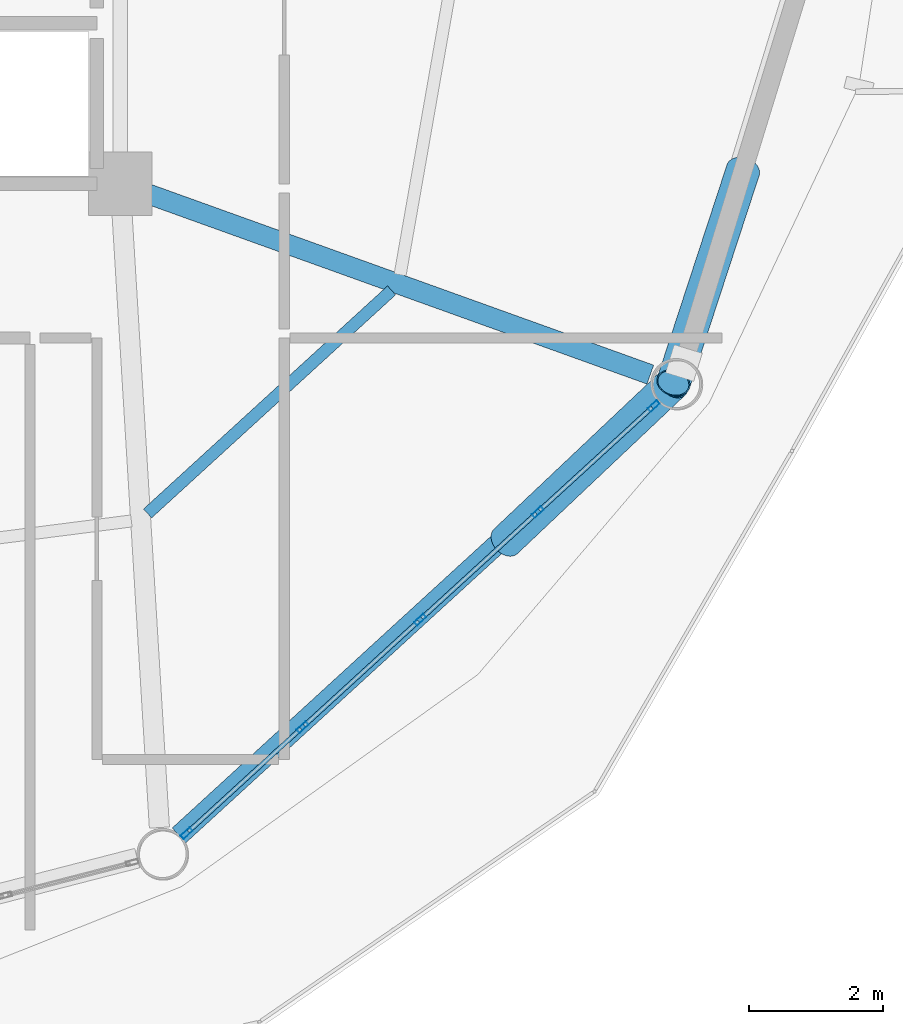
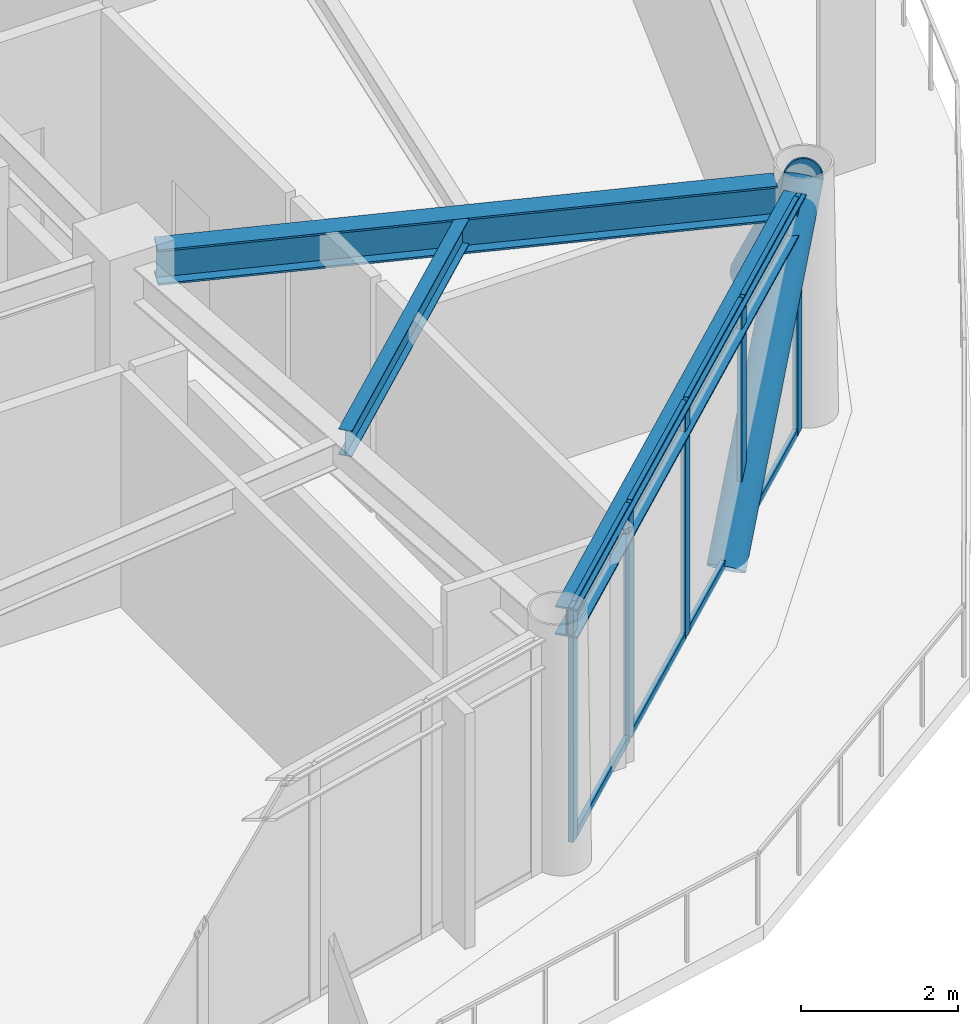
# One storey, part 12 of 23: 15 members, 3 beams, 1 element without a shape of its own.
"""IFC4 building model written with IfcOpenShell, lengths in metres."""

from ifc_helpers import new_model, si_unit, direction, frame, origin, origin_2d, place, context, subcontext, project, spatial, hollow_rectangle, hollow_circle, i_section, extrude, material, layer, layer_set, material_profile, profile_set, type_object, element, aggregate, save


model = new_model("IFC4")

# Units and contexts
model_context = context("Model", 3, precision=1e-05, world=origin(), true_north=direction((0.0, 1.0)))
body_context = subcontext(model_context, "Body", "Model", "MODEL_VIEW")
ifc_project = project(units=[si_unit("LENGTHUNIT", "METRE"), si_unit("AREAUNIT", "SQUARE_METRE"), si_unit("VOLUMEUNIT", "CUBIC_METRE"), si_unit("PLANEANGLEUNIT", "RADIAN"), si_unit("MASSUNIT", "GRAM", prefix="KILO")], contexts=[model_context])

# Site, building, storey
site_placement = place(None, origin())
site = spatial("IfcSite", under=ifc_project, at=site_placement, CompositionType="ELEMENT")
building_placement = place(site_placement, origin())
building = spatial("IfcBuilding", under=site, at=building_placement, Name="Varnakorn Sky Granary", CompositionType="ELEMENT")
storey_placement = place(building_placement, frame((0.0, 0.0, 130.5)))
storey = spatial("IfcBuildingStorey", under=building, at=storey_placement, Name="L32", CompositionType="ELEMENT", Elevation=130.5)

# Beams
ifc_material_1 = material(Name="Steel S355JR", Category="steel")
ifc_material_profile_1 = material_profile(ifc_material_1, i_section(OverallWidth=0.300048828125, OverallDepth=0.550048828125, WebThickness=0.014892578125, FlangeThickness=0.029052734375, at=origin_2d()), Name="HE 550 B")
ifc_profile_set_1 = profile_set([ifc_material_profile_1], Name="Steel S355JR")
beam_type_1 = type_object("IfcBeamType", Name="BM-RAD-Z3", PredefinedType="BEAM", material=ifc_profile_set_1)
beam_1_placement = place(storey_placement, frame((8.7451171875, -6.7421875, 3.364990234375), z_axis=(0.940992079713, -0.338428583186, 0.0), x_axis=(0.338428583186, 0.940992079713, 0.0)))
element("IfcBeam", 1, at=beam_1_placement, inside=storey, type_object=beam_type_1, Name="Radial Floor Girder RG12 L32", PredefinedType="BEAM", context=body_context, shape_type="SweptSolid", body=[
    extrude(i_section(OverallWidth=0.300048828125, OverallDepth=0.550048828125, WebThickness=0.014892578125, FlangeThickness=0.029052734375, at=origin_2d()), origin(), (0.0, 0.0, 1.0), 7.9951171875),
])
ifc_material_profile_2 = material_profile(ifc_material_1, i_section(OverallWidth=0.179931640625, OverallDepth=0.39990234375, WebThickness=0.008544921875, FlangeThickness=0.013427734375, at=origin_2d()), Name="IPE 400")
ifc_profile_set_2 = profile_set([ifc_material_profile_2], Name="Steel S355JR")
beam_type_2 = type_object("IfcBeamType", Name="BM-SEC-Z3", PredefinedType="BEAM", material=ifc_profile_set_2)
beam_2_placement = place(storey_placement, frame((8.7587890625, -11.522216796875, 3.43994140625), z_axis=(0.738013337306, 0.674786124605, 0.0), x_axis=(-0.674786124605, 0.738013337306, 0.0)))
element("IfcBeam", 2, at=beam_2_placement, inside=storey, type_object=beam_type_2, Name="Secondary Floor Chord Beam MSB11 L32", PredefinedType="BEAM", context=body_context, shape_type="SweptSolid", body=[
    extrude(i_section(OverallWidth=0.179931640625, OverallDepth=0.39990234375, WebThickness=0.008544921875, FlangeThickness=0.013427734375, at=origin_2d()), origin(), (0.0, 0.0, 1.0), 4.938720703125),
])
ifc_material_profile_3 = material_profile(ifc_material_1, i_section(OverallWidth=0.300048828125, OverallDepth=0.449951171875, WebThickness=0.013916015625, FlangeThickness=0.02587890625, at=origin_2d()), Name="HE 450 B")
ifc_profile_set_3 = profile_set([ifc_material_profile_3], Name="Steel S355JR")
beam_type_3 = type_object("IfcBeamType", Name="BM-SPD-Z3", PredefinedType="SPANDREL", material=ifc_profile_set_3)
beam_3_placement = place(storey_placement, frame((9.2275390625, -16.33203125, 3.4150390625), z_axis=(0.737648769429, 0.6751846362, 0.0), x_axis=(-0.6751846362, 0.737648769429, 0.0)))
element("IfcBeam", 3, at=beam_3_placement, inside=storey, type_object=beam_type_3, Name="Perimeter Spandrel Ring Beam RB11 L32", PredefinedType="SPANDREL", context=body_context, shape_type="SweptSolid", body=[
    extrude(i_section(OverallWidth=0.300048828125, OverallDepth=0.449951171875, WebThickness=0.013916015625, FlangeThickness=0.02587890625, at=origin_2d()), origin(), (0.0, 0.0, 1.0), 9.646240234375),
])

# Curtain wall, members
ifc_material_2 = material(Name="Anodised Bronze Aluminium Alloy 6063-T6", Category="aluminium")
ifc_layer = layer(ifc_material_2, 0.179931640625, Name="Anodised Bronze Aluminium Alloy 6063-T6")
ifc_layer_set = layer_set([ifc_layer], Name="Anodised Bronze Aluminium Alloy 6063-T6")
curtain_wall_type = type_object("IfcCurtainWallType", Name="CW-FRM-2", PredefinedType="USERDEFINED", material=ifc_layer_set)
curtain_wall_placement = place(storey_placement, origin())
curtain_wall = element("IfcCurtainWall", 4, at=curtain_wall_placement, inside=storey, type_object=curtain_wall_type, Name="Unitised Curtain Wall CW4 CW-L32-B11", ObjectType="CURTAIN WALL", PredefinedType="USERDEFINED")
ifc_material_profile_4 = material_profile(ifc_material_2, hollow_rectangle(XDim=0.070068359375, YDim=0.18505859375, WallThickness=0.00390625, at=origin_2d()), Name="ALU MULL 70x185")
ifc_profile_set_4 = profile_set([ifc_material_profile_4], Name="Anodised Bronze Aluminium Alloy 6063-T6")
member_type_1 = type_object("IfcMemberType", Name="CW-FRM-2-MULL", PredefinedType="MULLION", material=ifc_profile_set_4)
member_1_placement = place(storey_placement, frame((16.319580078125, -9.916748046875, 0.0), z_axis=(0.0, 0.0, 1.0), x_axis=(0.67491752589, -0.737893171975, 0.0)))
member_1 = element("IfcMember", 5, at=member_1_placement, type_object=member_type_1, Name="CW4 mullion 1", PredefinedType="MULLION", context=body_context, shape_type="SweptSolid", body=[
    extrude(hollow_rectangle(XDim=0.070068359375, YDim=0.18505859375, WallThickness=0.00390625, at=origin_2d()), origin(), (0.0, 0.0, 1.0), 3.639892578125),
])
member_2_placement = place(storey_placement, frame((14.588134765625, -11.50048828125, 0.0), z_axis=(0.0, 0.0, 1.0), x_axis=(0.67491752589, -0.737893171975, 0.0)))
member_2 = element("IfcMember", 6, at=member_2_placement, type_object=member_type_1, Name="CW4 mullion 2", PredefinedType="MULLION", context=body_context, shape_type="SweptSolid", body=[
    extrude(hollow_rectangle(XDim=0.070068359375, YDim=0.18505859375, WallThickness=0.00390625, at=origin_2d()), origin(), (0.0, 0.0, 1.0), 3.639892578125),
])
member_3_placement = place(storey_placement, frame((12.8310546875, -13.107666015625, 0.0), z_axis=(0.0, 0.0, 1.0), x_axis=(0.67491752589, -0.737893171975, 0.0)))
member_3 = element("IfcMember", 7, at=member_3_placement, type_object=member_type_1, Name="CW4 mullion 3", PredefinedType="MULLION", context=body_context, shape_type="SweptSolid", body=[
    extrude(hollow_rectangle(XDim=0.070068359375, YDim=0.18505859375, WallThickness=0.00390625, at=origin_2d()), origin(), (0.0, 0.0, 1.0), 3.639892578125),
])
member_4_placement = place(storey_placement, frame((11.07373046875, -14.715087890625, 0.0), z_axis=(0.0, 0.0, 1.0), x_axis=(0.67491752589, -0.737893171975, 0.0)))
member_4 = element("IfcMember", 8, at=member_4_placement, type_object=member_type_1, Name="CW4 mullion 4", PredefinedType="MULLION", context=body_context, shape_type="SweptSolid", body=[
    extrude(hollow_rectangle(XDim=0.070068359375, YDim=0.18505859375, WallThickness=0.00390625, at=origin_2d()), origin(), (0.0, 0.0, 1.0), 3.639892578125),
])
member_5_placement = place(storey_placement, frame((9.34228515625, -16.298583984375, 0.0), z_axis=(0.0, 0.0, 1.0), x_axis=(0.67491752589, -0.737893171975, 0.0)))
member_5 = element("IfcMember", 9, at=member_5_placement, type_object=member_type_1, Name="CW4 mullion 5", PredefinedType="MULLION", context=body_context, shape_type="SweptSolid", body=[
    extrude(hollow_rectangle(XDim=0.070068359375, YDim=0.18505859375, WallThickness=0.00390625, at=origin_2d()), origin(), (0.0, 0.0, 1.0), 3.639892578125),
])
ifc_material_profile_5 = material_profile(ifc_material_2, hollow_rectangle(XDim=0.06494140625, YDim=0.1201171875, WallThickness=0.00341796875, at=origin_2d()), Name="ALU TRAN 65x120")
ifc_profile_set_5 = profile_set([ifc_material_profile_5], Name="Anodised Bronze Aluminium Alloy 6063-T6")
member_type_2 = type_object("IfcMemberType", Name="CW-FRM-2-TRAN", PredefinedType="USERDEFINED", material=ifc_profile_set_5)
member_6_placement = place(storey_placement, frame((16.2939453125, -9.9404296875, 0.032470703125), z_axis=(-0.737932672894, -0.674874336655, 0.0), x_axis=(0.674874336655, -0.737932672894, 0.0)))
member_6 = element("IfcMember", 10, at=member_6_placement, type_object=member_type_2, Name="CW4 transom 1.1", ObjectType="TRANSOM", PredefinedType="USERDEFINED", context=body_context, shape_type="SweptSolid", body=[
    extrude(hollow_rectangle(XDim=0.06494140625, YDim=0.1201171875, WallThickness=0.00341796875, at=origin_2d()), origin(), (0.0, 0.0, 1.0), 2.276611328125),
])
member_7_placement = place(storey_placement, frame((16.2939453125, -9.9404296875, 3.607421875), z_axis=(-0.737932672894, -0.674874336655, 0.0), x_axis=(0.674874336655, -0.737932672894, 0.0)))
member_7 = element("IfcMember", 11, at=member_7_placement, type_object=member_type_2, Name="CW4 transom 1.2", ObjectType="TRANSOM", PredefinedType="USERDEFINED", context=body_context, shape_type="SweptSolid", body=[
    extrude(hollow_rectangle(XDim=0.06494140625, YDim=0.1201171875, WallThickness=0.00341796875, at=origin_2d()), origin(), (0.0, 0.0, 1.0), 2.276611328125),
])
member_8_placement = place(storey_placement, frame((14.5625, -11.52392578125, 0.032470703125), z_axis=(-0.737929622989, -0.674877671519, 0.0), x_axis=(0.674877671519, -0.737929622989, 0.0)))
member_8 = element("IfcMember", 12, at=member_8_placement, type_object=member_type_2, Name="CW4 transom 2.1", ObjectType="TRANSOM", PredefinedType="USERDEFINED", context=body_context, shape_type="SweptSolid", body=[
    extrude(hollow_rectangle(XDim=0.06494140625, YDim=0.1201171875, WallThickness=0.00341796875, at=origin_2d()), origin(), (0.0, 0.0, 1.0), 2.3115234375),
])
member_9_placement = place(storey_placement, frame((14.5625, -11.52392578125, 3.607421875), z_axis=(-0.737929622989, -0.674877671519, 0.0), x_axis=(0.674877671519, -0.737929622989, 0.0)))
member_9 = element("IfcMember", 13, at=member_9_placement, type_object=member_type_2, Name="CW4 transom 2.2", ObjectType="TRANSOM", PredefinedType="USERDEFINED", context=body_context, shape_type="SweptSolid", body=[
    extrude(hollow_rectangle(XDim=0.06494140625, YDim=0.1201171875, WallThickness=0.00341796875, at=origin_2d()), origin(), (0.0, 0.0, 1.0), 2.3115234375),
])
member_10_placement = place(storey_placement, frame((12.80517578125, -13.13134765625, 0.032470703125), z_axis=(-0.737881514126, -0.674930271295, 0.0), x_axis=(0.674930271295, -0.737881514126, 0.0)))
member_10 = element("IfcMember", 14, at=member_10_placement, type_object=member_type_2, Name="CW4 transom 3.1", ObjectType="TRANSOM", PredefinedType="USERDEFINED", context=body_context, shape_type="SweptSolid", body=[
    extrude(hollow_rectangle(XDim=0.06494140625, YDim=0.1201171875, WallThickness=0.00341796875, at=origin_2d()), origin(), (0.0, 0.0, 1.0), 2.3115234375),
])
member_11_placement = place(storey_placement, frame((12.80517578125, -13.13134765625, 3.607421875), z_axis=(-0.737881514126, -0.674930271295, 0.0), x_axis=(0.674930271295, -0.737881514126, 0.0)))
member_11 = element("IfcMember", 15, at=member_11_placement, type_object=member_type_2, Name="CW4 transom 3.2", ObjectType="TRANSOM", PredefinedType="USERDEFINED", context=body_context, shape_type="SweptSolid", body=[
    extrude(hollow_rectangle(XDim=0.06494140625, YDim=0.1201171875, WallThickness=0.00341796875, at=origin_2d()), origin(), (0.0, 0.0, 1.0), 2.3115234375),
])
member_12_placement = place(storey_placement, frame((11.0478515625, -14.738525390625, 0.032470703125), z_axis=(-0.73783041194, -0.674986135574, 0.0), x_axis=(0.674986135574, -0.73783041194, 0.0)))
member_12 = element("IfcMember", 16, at=member_12_placement, type_object=member_type_2, Name="CW4 transom 4.1", ObjectType="TRANSOM", PredefinedType="USERDEFINED", context=body_context, shape_type="SweptSolid", body=[
    extrude(hollow_rectangle(XDim=0.06494140625, YDim=0.1201171875, WallThickness=0.00341796875, at=origin_2d()), origin(), (0.0, 0.0, 1.0), 2.276611328125),
])
member_13_placement = place(storey_placement, frame((11.0478515625, -14.738525390625, 3.607421875), z_axis=(-0.73783041194, -0.674986135574, 0.0), x_axis=(0.674986135574, -0.73783041194, 0.0)))
member_13 = element("IfcMember", 17, at=member_13_placement, type_object=member_type_2, Name="CW4 transom 4.2", ObjectType="TRANSOM", PredefinedType="USERDEFINED", context=body_context, shape_type="SweptSolid", body=[
    extrude(hollow_rectangle(XDim=0.06494140625, YDim=0.1201171875, WallThickness=0.00341796875, at=origin_2d()), origin(), (0.0, 0.0, 1.0), 2.276611328125),
])
aggregate(curtain_wall, [member_1, member_2, member_3, member_4, member_5, member_6, member_7, member_8, member_9, member_10, member_11, member_12, member_13])

# Members
ifc_material_3 = material(Name="Steel S460M", Category="steel")
ifc_material_profile_6 = material_profile(ifc_material_3, hollow_circle(Radius=0.25390625, WallThickness=0.01806640625, at=origin_2d()), Name="CHS 508x18")
ifc_profile_set_6 = profile_set([ifc_material_profile_6], Name="Steel S460M")
member_type_3 = type_object("IfcMemberType", Name="MB-DIAG-T2", PredefinedType="BRACE", material=ifc_profile_set_6)
member_14_placement = place(storey_placement, frame((14.11083984375, -11.93701171875, -0.1298828125), z_axis=(0.490069129309, 0.463241574514, 0.738403339741), x_axis=(-0.686935811424, 0.726718095951, 0.0)))
element("IfcMember", 18, at=member_14_placement, inside=storey, type_object=member_type_3, Name="Perimeter CHS Diagrid Brace DG11 L32", PredefinedType="BRACE", context=body_context, shape_type="SweptSolid", body=[
    extrude(hollow_circle(Radius=0.25390625, WallThickness=0.01806640625, at=origin_2d()), origin(), (0.0, 0.0, 1.0), 5.105224609375),
])
member_15_placement = place(storey_placement, frame((17.65283203125, -6.39697265625, -0.1298828125), z_axis=(-0.206469877333, -0.630314731153, 0.74838060467), x_axis=(0.95031461847, -0.311291063028, 0.0)))
element("IfcMember", 19, at=member_15_placement, inside=storey, type_object=member_type_3, Name="Perimeter CHS Diagrid Brace DG12 L32", PredefinedType="BRACE", context=body_context, shape_type="SweptSolid", body=[
    extrude(hollow_circle(Radius=0.25390625, WallThickness=0.01806640625, at=origin_2d()), origin(), (0.0, 0.0, 1.0), 5.037353515625),
])

save(model, "model.ifc")
